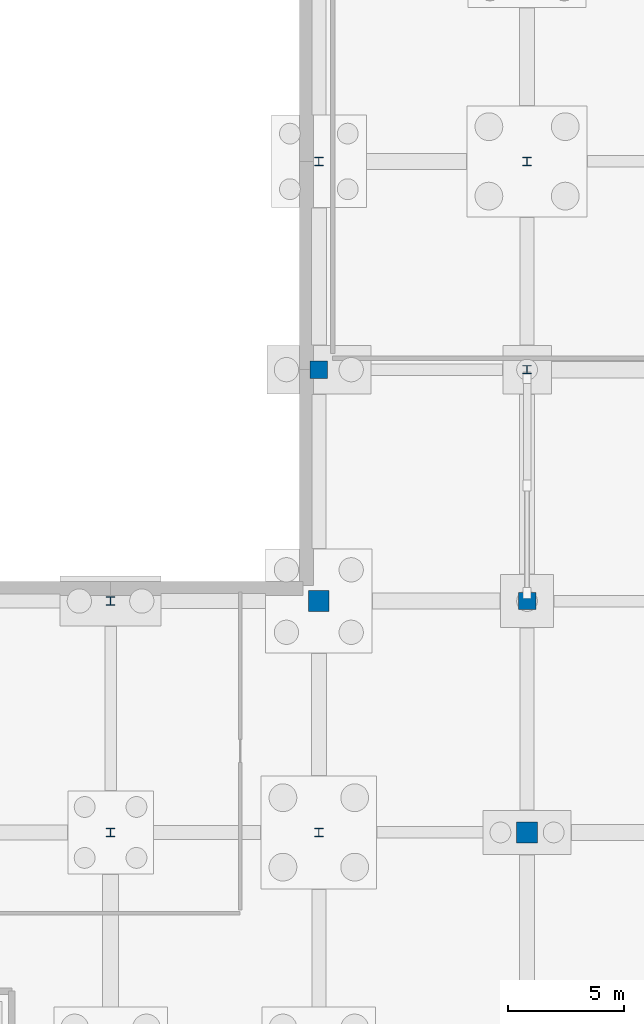
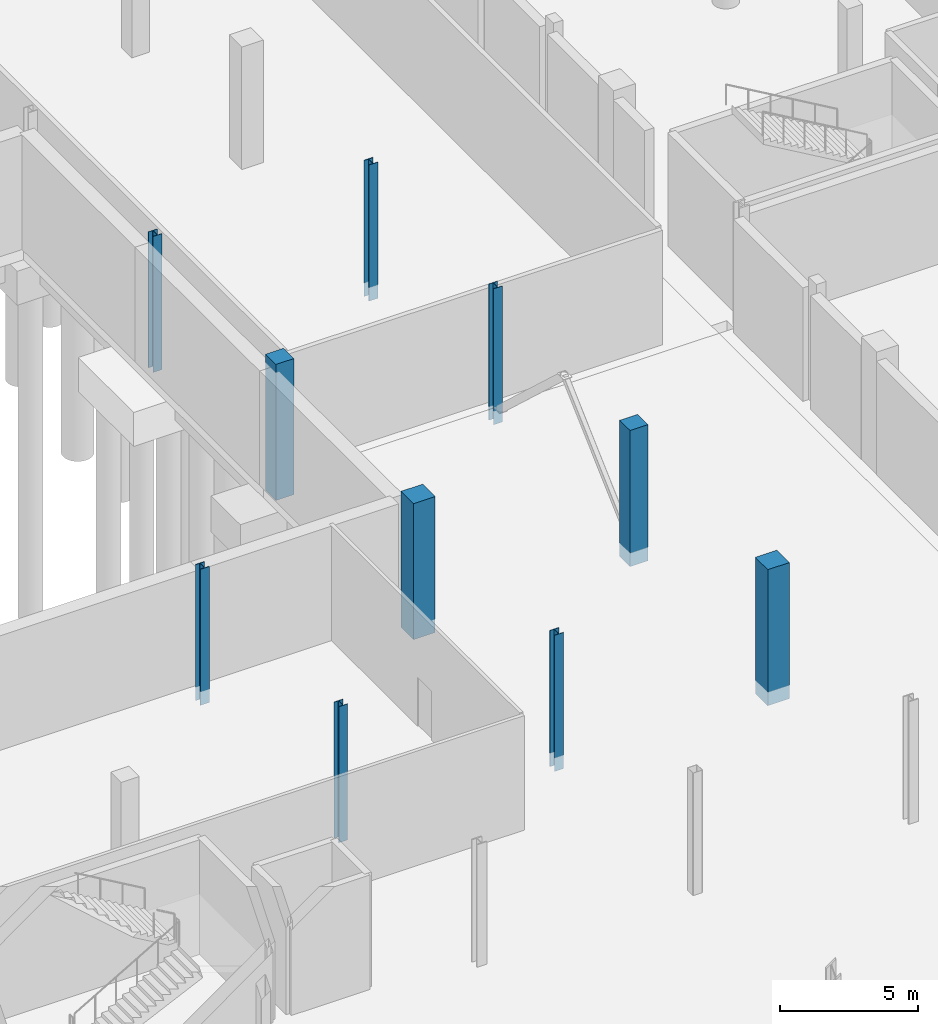
# One storey, part 25 of 60: 10 columns.
"""IFC4 building model written with IfcOpenShell, lengths in metres."""

from ifc_helpers import new_model, si_unit, direction, frame, origin, origin_2d, place, context, subcontext, project, spatial, rectangle, i_section, extrude, material, material_profile, profile_set, type_object, element, save


model = new_model("IFC4")

# Units and contexts
model_context = context("Model", 3, precision=1e-05, world=origin(), true_north=direction((0.0, 1.0)))
body_context = subcontext(model_context, "Body", "Model", "MODEL_VIEW")
ifc_project = project(units=[si_unit("LENGTHUNIT", "METRE"), si_unit("AREAUNIT", "SQUARE_METRE"), si_unit("VOLUMEUNIT", "CUBIC_METRE"), si_unit("PLANEANGLEUNIT", "RADIAN"), si_unit("MASSUNIT", "GRAM", prefix="KILO")], contexts=[model_context])

# Site, building, storey
site_placement = place(None, origin())
site = spatial("IfcSite", under=ifc_project, at=site_placement, CompositionType="ELEMENT")
building_placement = place(site_placement, origin())
building = spatial("IfcBuilding", under=site, at=building_placement, Name="Trimount Lyric Opera House", CompositionType="ELEMENT")
storey_placement = place(building_placement, frame((0.0, 0.0, -5.39990234375)))
storey = spatial("IfcBuildingStorey", under=building, at=storey_placement, Name="B1", CompositionType="ELEMENT", Elevation=-5.39990234375)

# Columns
ifc_material_1 = material(Name="Steel ASTM A992 Grade 50", Category="steel")
ifc_material_profile_1 = material_profile(ifc_material_1, i_section(OverallWidth=0.373046875, OverallDepth=0.367919921875, WebThickness=0.014892578125, FlangeThickness=0.02392578125, FilletRadius=0.014892578125, at=origin_2d()), Name="W14X120")
ifc_profile_set_1 = profile_set([ifc_material_profile_1], Name="Steel ASTM A992 Grade 50")
column_type_1 = type_object("IfcColumnType", Name="C-04", PredefinedType="COLUMN", material=ifc_profile_set_1)
for number, where, z_axis, x_axis, name in (
    (1, (36.0, 74.0, -0.60009765625), (0.0, 0.0, 1.0), (1.0, 0.0, 0.0), "B1 column 5/J"),
    (2, (45.0, 64.0, -0.60009765625), (0.0, 0.0, 1.0), (1.0, 0.0, 0.0), "B1 column 6/H"),
    (3, (54.0, 93.0, -0.60009765625), (0.0, 0.0, 1.0), (1.0, 0.0, 0.0), "B1 column 7/L"),
):
    element("IfcColumn", number, at=place(storey_placement, frame(where, z_axis=z_axis, x_axis=x_axis)), inside=storey, type_object=column_type_1, Name=name, PredefinedType="COLUMN", context=body_context, shape_type="SweptSolid", body=[
        extrude(i_section(OverallWidth=0.373046875, OverallDepth=0.367919921875, WebThickness=0.014892578125, FlangeThickness=0.02392578125, FilletRadius=0.014892578125, at=origin_2d()), origin(), (0.0, 0.0, 1.0), 6.0),
    ])
ifc_material_2 = material(Name="Steel ASTM A992 Grade 50", Category="steel")
ifc_material_profile_2 = material_profile(ifc_material_2, i_section(OverallWidth=0.367919921875, OverallDepth=0.35595703125, WebThickness=0.01123046875, FlangeThickness=0.01806640625, FilletRadius=0.014892578125, at=origin_2d()), Name="W14X90")
ifc_profile_set_2 = profile_set([ifc_material_profile_2], Name="Steel ASTM A992 Grade 50")
column_type_2 = type_object("IfcColumnType", Name="C-09", PredefinedType="COLUMN", material=ifc_profile_set_2)
for number, where, z_axis, x_axis, name in (
    (4, (36.0, 64.0, -0.60009765625), (0.0, 0.0, 1.0), (1.0, 0.0, 0.0), "B1 column 5/H"),
    (5, (45.0, 93.0, -0.60009765625), (0.0, 0.0, 1.0), (1.0, 0.0, 0.0), "B1 column 6/L"),
    (6, (54.0, 84.0, -0.60009765625), (0.0, 0.0, 1.0), (1.0, 0.0, 0.0), "B1 column 7/K"),
):
    element("IfcColumn", number, at=place(storey_placement, frame(where, z_axis=z_axis, x_axis=x_axis)), inside=storey, type_object=column_type_2, Name=name, PredefinedType="COLUMN", context=body_context, shape_type="SweptSolid", body=[
        extrude(i_section(OverallWidth=0.367919921875, OverallDepth=0.35595703125, WebThickness=0.01123046875, FlangeThickness=0.01806640625, FilletRadius=0.014892578125, at=origin_2d()), origin(), (0.0, 0.0, 1.0), 6.0),
    ])
ifc_material_3 = material(Name="Concrete C50/60", Category="concrete")
ifc_material_profile_3 = material_profile(ifc_material_3, rectangle(XDim=0.89990234375, YDim=0.89990234375, at=origin_2d()), Name="RC900X900")
ifc_profile_set_3 = profile_set([ifc_material_profile_3], Name="Concrete C50/60")
column_type_3 = type_object("IfcColumnType", Name="C-13", PredefinedType="COLUMN", material=ifc_profile_set_3)
for number, where, z_axis, x_axis, name in (
    (7, (45.0, 74.0, -0.60009765625), (0.0, 0.0, 1.0), (1.0, 0.0, 0.0), "B1 column 6/J"),
    (8, (54.0, 64.0, -0.60009765625), (0.0, 0.0, 1.0), (1.0, 0.0, 0.0), "B1 column 7/H"),
):
    element("IfcColumn", number, at=place(storey_placement, frame(where, z_axis=z_axis, x_axis=x_axis)), inside=storey, type_object=column_type_3, Name=name, PredefinedType="COLUMN", context=body_context, shape_type="SweptSolid", body=[
        extrude(rectangle(XDim=0.89990234375, YDim=0.89990234375, at=origin_2d()), origin(), (0.0, 0.0, 1.0), 6.0),
    ])
ifc_material_4 = material(Name="Concrete C40/50", Category="concrete")
ifc_material_profile_4 = material_profile(ifc_material_4, rectangle(XDim=0.75, YDim=0.75, at=origin_2d()), Name="RC750X750")
ifc_profile_set_4 = profile_set([ifc_material_profile_4], Name="Concrete C40/50")
column_type_4 = type_object("IfcColumnType", Name="C-15", PredefinedType="COLUMN", material=ifc_profile_set_4)
for number, where, z_axis, x_axis, name in (
    (9, (45.0, 84.0, -0.60009765625), (0.0, 0.0, 1.0), (1.0, 0.0, 0.0), "B1 column 6/K"),
    (10, (54.0, 74.0, -0.60009765625), (0.0, 0.0, 1.0), (1.0, 0.0, 0.0), "B1 column 7/J"),
):
    element("IfcColumn", number, at=place(storey_placement, frame(where, z_axis=z_axis, x_axis=x_axis)), inside=storey, type_object=column_type_4, Name=name, PredefinedType="COLUMN", context=body_context, shape_type="SweptSolid", body=[
        extrude(rectangle(XDim=0.75, YDim=0.75, at=origin_2d()), origin(), (0.0, 0.0, 1.0), 6.0),
    ])

save(model, "model.ifc")
